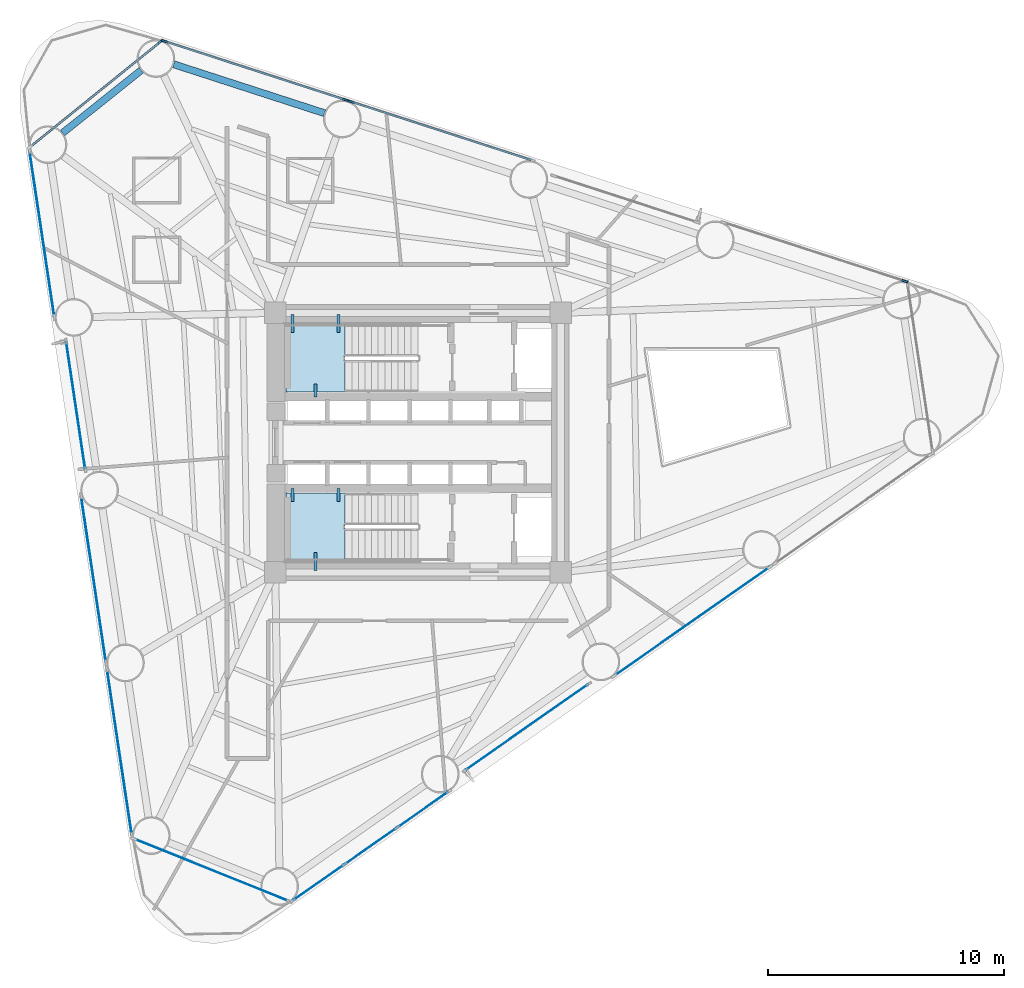
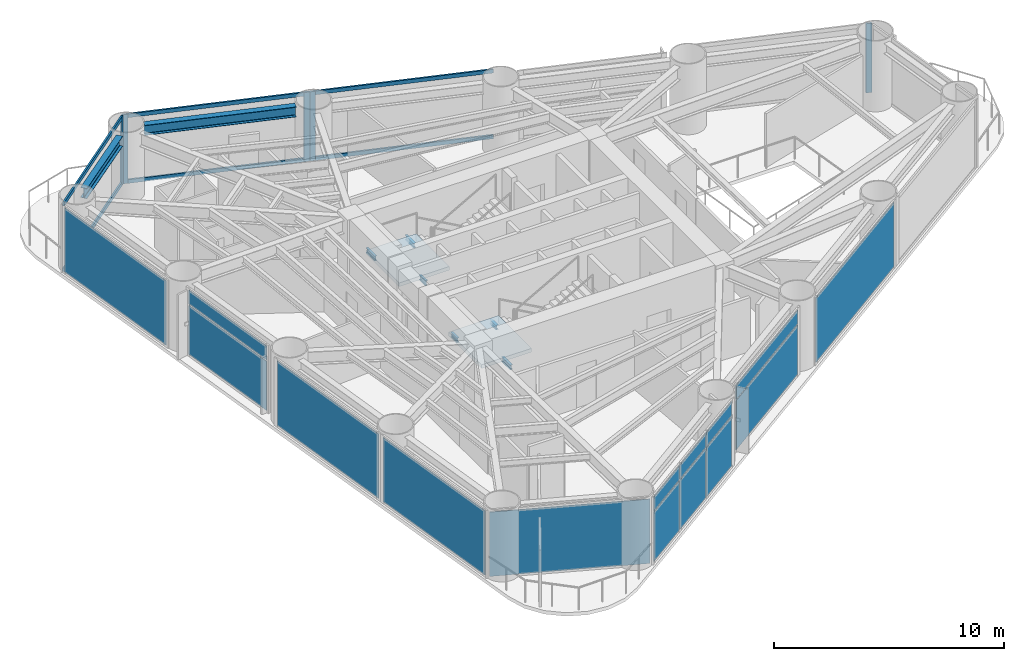
# One storey, part 4 of 9: 15 plates, 11 members, 8 beams, 2 slabs, 14 elements without a shape of their own.
"""IFC4 building model written with IfcOpenShell, lengths in metres."""

from ifc_helpers import new_model, si_unit, direction, frame, origin, origin_2d, place, context, subcontext, project, spatial, polyline, rectangle, i_section, outline, extrude, source, transform, mapped, material, layer, layer_set, material_profile, profile_set, type_object, element, aggregate, save


model = new_model("IFC4")

# Units and contexts
model_context = context("Model", 3, precision=1e-05, world=origin(), true_north=direction((0.0, 1.0)))
body_context = subcontext(model_context, "Body", "Model", "MODEL_VIEW")
ifc_project = project(units=[si_unit("LENGTHUNIT", "METRE"), si_unit("AREAUNIT", "SQUARE_METRE"), si_unit("VOLUMEUNIT", "CUBIC_METRE"), si_unit("PLANEANGLEUNIT", "RADIAN"), si_unit("MASSUNIT", "GRAM", prefix="KILO")], contexts=[model_context])

# Site, building, storey
site_placement = place(None, origin())
site = spatial("IfcSite", under=ifc_project, at=site_placement, CompositionType="ELEMENT")
building_placement = place(site_placement, origin())
building = spatial("IfcBuilding", under=site, at=building_placement, Name="Yunling Apex Tower", CompositionType="ELEMENT")
storey_placement = place(building_placement, frame((0.0, 0.0, 73.550048828125)))
storey = spatial("IfcBuildingStorey", under=building, at=storey_placement, Name="L19", CompositionType="ELEMENT", Elevation=73.550048828125)

# Beams
ifc_material_1 = material(Name="Steel Q355B", Category="steel")
ifc_material_profile_1 = material_profile(ifc_material_1, i_section(OverallWidth=0.125, OverallDepth=0.25, WebThickness=0.006103515625, FlangeThickness=0.009033203125, FilletRadius=0.011962890625, at=origin_2d()))
ifc_profile_set_1 = profile_set([ifc_material_profile_1], Name="Steel Q355B")
beam_type_1 = type_object("IfcBeamType", Name="BL-LNT-1", PredefinedType="LINTEL", material=ifc_profile_set_1)
shared_shape_1 = source(origin(), body_context, "Body", "SweptSolid", [
    extrude(i_section(OverallWidth=0.125, OverallDepth=0.25, WebThickness=0.006103515625, FlangeThickness=0.009033203125, FilletRadius=0.011962890625, at=origin_2d()), origin(), (0.0, 0.0, 1.0), 0.760009765625),
])
for number, where, z_axis, x_axis, name in (
    (1, (-5.320068359375, 5.419921875, 1.554931640625), (0.0, -1.0, 0.0), (1.0, 0.0, 0.0), "L19 ST-1 Landing Bearing Corbel 1-1"),
    (2, (-3.3701171875, 5.419921875, 1.554931640625), (0.0, -1.0, 0.0), (1.0, 0.0, 0.0), "L19 ST-1 Landing Bearing Corbel 1-2"),
    (3, (-4.344970703125, -5.419921875, 1.554931640625), (0.0, 1.0, 0.0), (-1.0, 0.0, 0.0), "L19 ST-2 Landing Bearing Corbel 1-3"),
):
    element("IfcBeam", number, at=place(storey_placement, frame(where, z_axis=z_axis, x_axis=x_axis)), inside=storey, type_object=beam_type_1, Name=name, PredefinedType="LINTEL", context=body_context, shape_type="MappedRepresentation", body=[
        mapped(shared_shape_1, transform((0.0, 0.0, 0.0), scale=1.0)),
    ])
shared_shape_2 = source(origin(), body_context, "Body", "SweptSolid", [
    extrude(i_section(OverallWidth=0.125, OverallDepth=0.25, WebThickness=0.006103515625, FlangeThickness=0.009033203125, FilletRadius=0.011962890625, at=origin_2d()), origin(), (0.0, 0.0, 1.0), 0.550048828125),
])
for number, where, z_axis, x_axis, name in (
    (4, (-4.344970703125, 1.93994140625, 1.554931640625), (0.0, 1.0, 0.0), (-1.0, 0.0, 0.0), "L19 ST-1 Landing Bearing Corbel 1-3"),
    (5, (-5.320068359375, -1.93994140625, 1.554931640625), (0.0, -1.0, 0.0), (1.0, 0.0, 0.0), "L19 ST-2 Landing Bearing Corbel 1-1"),
    (6, (-3.3701171875, -1.93994140625, 1.554931640625), (0.0, -1.0, 0.0), (1.0, 0.0, 0.0), "L19 ST-2 Landing Bearing Corbel 1-2"),
):
    element("IfcBeam", number, at=place(storey_placement, frame(where, z_axis=z_axis, x_axis=x_axis)), inside=storey, type_object=beam_type_1, Name=name, PredefinedType="LINTEL", context=body_context, shape_type="MappedRepresentation", body=[
        mapped(shared_shape_2, transform((0.0, 0.0, 0.0), scale=1.0)),
    ])
ifc_material_profile_2 = material_profile(ifc_material_1, i_section(OverallWidth=0.300048828125, OverallDepth=0.5400390625, WebThickness=0.011962890625, FlangeThickness=0.02001953125, FilletRadius=0.02392578125, at=origin_2d()))
ifc_profile_set_2 = profile_set([ifc_material_profile_2], Name="Steel Q355B")
beam_type_2 = type_object("IfcBeamType", Name="BP-SPN-1", PredefinedType="SPANDREL", material=ifc_profile_set_2)
shared_shape_3 = source(origin(), body_context, "Body", "SweptSolid", [
    extrude(i_section(OverallWidth=0.300048828125, OverallDepth=0.5400390625, WebThickness=0.011962890625, FlangeThickness=0.02001953125, FilletRadius=0.02392578125, at=origin_2d()), origin(), (0.0, 0.0, 1.0), 6.721435546875),
])
beam_1_placement = place(storey_placement, frame((-3.96484375, 13.9638671875, 3.294921875), z_axis=(-0.95126256707, 0.308382114415, 0.0), x_axis=(-0.308382114415, -0.95126256707, 0.0)))
element("IfcBeam", 7, at=beam_1_placement, inside=storey, type_object=beam_type_2, Name="L19 Perimeter Spandrel Beam 9", PredefinedType="SPANDREL", context=body_context, shape_type="MappedRepresentation", body=[
    mapped(shared_shape_3, transform((0.0, 0.0, 0.0), scale=1.0)),
])
shared_shape_4 = source(origin(), body_context, "Body", "SweptSolid", [
    extrude(i_section(OverallWidth=0.300048828125, OverallDepth=0.5400390625, WebThickness=0.011962890625, FlangeThickness=0.02001953125, FilletRadius=0.02392578125, at=origin_2d()), origin(), (0.0, 0.0, 1.0), 4.265869140625),
])
beam_2_placement = place(storey_placement, frame((-11.734619140625, 15.785888671875, 3.294921875), z_axis=(-0.781560697893, -0.623829203796, 0.0), x_axis=(0.623829203796, -0.781560697893, 0.0)))
element("IfcBeam", 8, at=beam_2_placement, inside=storey, type_object=beam_type_2, Name="L19 Perimeter Spandrel Beam 10", PredefinedType="SPANDREL", context=body_context, shape_type="MappedRepresentation", body=[
    mapped(shared_shape_4, transform((0.0, 0.0, 0.0), scale=1.0)),
])

# Curtain wall, member
ifc_material_2 = material(Name="Bronze anodised aluminium", Category="aluminium")
ifc_layer_1 = layer(ifc_material_2, 0.260009765625)
ifc_layer_set_1 = layer_set([ifc_layer_1], Name="Bronze anodised aluminium")
curtain_wall_type = type_object("IfcCurtainWallType", Name="CW-SYS-2", PredefinedType="NOTDEFINED", material=ifc_layer_set_1)
curtain_wall_1_placement = place(storey_placement, origin())
curtain_wall_1 = element("IfcCurtainWall", 9, at=curtain_wall_1_placement, inside=storey, type_object=curtain_wall_type, Name="CW-L19-F2-B1", PredefinedType="NOTDEFINED")
ifc_material_profile_3 = material_profile(ifc_material_2, rectangle(XDim=0.0849609375, YDim=0.260009765625, at=origin_2d()))
ifc_profile_set_3 = profile_set([ifc_material_profile_3], Name="Bronze anodised aluminium")
member_type_1 = type_object("IfcMemberType", Name="CW-MUL-2", PredefinedType="MULLION", material=ifc_profile_set_3)
shared_shape_5 = source(origin(), body_context, "Body", "SweptSolid", [
    extrude(rectangle(XDim=0.0849609375, YDim=0.260009765625, at=origin_2d()), origin(), (0.0, 0.0, 1.0), 3.6650390625),
])
member_1_placement = place(storey_placement, frame((20.63671875, 6.8408203125, -0.050048828125), z_axis=(0.0, 0.0, 1.0), x_axis=(-0.30835735341, -0.951270593784, 0.0)))
member_1 = element("IfcMember", 10, at=member_1_placement, type_object=member_type_1, Name="CW-SYS-2 mullion 1", PredefinedType="MULLION", context=body_context, shape_type="MappedRepresentation", body=[
    mapped(shared_shape_5, transform((0.0, 0.0, 0.0), scale=1.0)),
])
aggregate(curtain_wall_1, [member_1])

curtain_wall_2_placement = place(storey_placement, origin())
curtain_wall_2 = element("IfcCurtainWall", 11, at=curtain_wall_2_placement, inside=storey, type_object=curtain_wall_type, Name="CW-L19-F2-B3", PredefinedType="NOTDEFINED")
member_2_placement = place(storey_placement, frame((-2.84326171875, 14.451904296875, -0.050048828125), z_axis=(0.0, 0.0, 1.0), x_axis=(-0.308368457544, -0.951266994272, 0.0)))
member_2 = element("IfcMember", 12, at=member_2_placement, type_object=member_type_1, Name="CW-SYS-2 mullion 2", PredefinedType="MULLION", context=body_context, shape_type="MappedRepresentation", body=[
    mapped(shared_shape_5, transform((0.0, 0.0, 0.0), scale=1.0)),
])

# Curtain wall, members
curtain_wall_3_placement = place(storey_placement, origin())
curtain_wall_3 = element("IfcCurtainWall", 13, at=curtain_wall_3_placement, inside=storey, type_object=curtain_wall_type, Name="CW-L19-F2-B4", PredefinedType="NOTDEFINED")
member_3_placement = place(storey_placement, frame((-3.076416015625, 14.52734375, -0.050048828125), z_axis=(0.0, 0.0, 1.0), x_axis=(-0.30835735341, -0.951270593784, 0.0)))
member_3 = element("IfcMember", 14, at=member_3_placement, type_object=member_type_1, Name="CW-SYS-2 mullion 1", PredefinedType="MULLION", context=body_context, shape_type="MappedRepresentation", body=[
    mapped(shared_shape_5, transform((0.0, 0.0, 0.0), scale=1.0)),
])
member_4_placement = place(storey_placement, frame((-10.747802734375, 17.01416015625, -0.050048828125), z_axis=(0.0, 0.0, 1.0), x_axis=(-0.30835735341, -0.951270593784, 0.0)))
member_4 = element("IfcMember", 15, at=member_4_placement, type_object=member_type_1, Name="CW-SYS-2 mullion 2", PredefinedType="MULLION", context=body_context, shape_type="MappedRepresentation", body=[
    mapped(shared_shape_5, transform((0.0, 0.0, 0.0), scale=1.0)),
])

# Curtain wall, member
curtain_wall_4_placement = place(storey_placement, origin())
curtain_wall_4 = element("IfcCurtainWall", 16, at=curtain_wall_4_placement, inside=storey, type_object=curtain_wall_type, Name="CW-L19-CRN2", PredefinedType="NOTDEFINED")
member_5_placement = place(storey_placement, frame((-10.903564453125, 17.006103515625, -0.050048828125), z_axis=(0.0, 0.0, 1.0), x_axis=(0.628079941911, -0.778148820322, 0.0)))
member_5 = element("IfcMember", 17, at=member_5_placement, type_object=member_type_1, Name="CW-SYS-2 mullion 1", PredefinedType="MULLION", context=body_context, shape_type="MappedRepresentation", body=[
    mapped(shared_shape_5, transform((0.0, 0.0, 0.0), scale=1.0)),
])

# Member
ifc_material_profile_4 = material_profile(ifc_material_2, rectangle(XDim=0.0849609375, YDim=0.199951171875, at=origin_2d()))
ifc_profile_set_4 = profile_set([ifc_material_profile_4], Name="Bronze anodised aluminium")
member_type_2 = type_object("IfcMemberType", Name="CW-TRN-2", PredefinedType="USERDEFINED", material=ifc_profile_set_4)
shared_shape_6 = source(origin(), body_context, "Body", "SweptSolid", [
    extrude(rectangle(XDim=0.0849609375, YDim=0.199951171875, at=origin_2d()), origin(), (0.0, 0.0, 1.0), 7.98779296875),
])
member_6_placement = place(storey_placement, frame((4.79150390625, 11.976806640625, 0.04248046875), z_axis=(-0.951258205262, 0.308395568907, 0.0), x_axis=(-0.308395568907, -0.951258205262, 0.0)))
member_6 = element("IfcMember", 18, at=member_6_placement, type_object=member_type_2, Name="CW-SYS-2 transom 1.1", ObjectType="TRANSOM", PredefinedType="USERDEFINED", context=body_context, shape_type="MappedRepresentation", body=[
    mapped(shared_shape_6, transform((0.0, 0.0, 0.0), scale=1.0)),
])

member_7_placement = place(storey_placement, frame((4.79150390625, 11.976806640625, 3.5224609375), z_axis=(-0.951258205262, 0.308395568907, 0.0), x_axis=(-0.308395568907, -0.951258205262, 0.0)))
member_7 = element("IfcMember", 19, at=member_7_placement, type_object=member_type_2, Name="CW-SYS-2 transom 1.2", ObjectType="TRANSOM", PredefinedType="USERDEFINED", context=body_context, shape_type="MappedRepresentation", body=[
    mapped(shared_shape_6, transform((0.0, 0.0, 0.0), scale=1.0)),
])

aggregate(curtain_wall_2, [member_2, member_6, member_7])

member_8_placement = place(storey_placement, frame((-3.11279296875, 14.539306640625, 0.04248046875), z_axis=(-0.951279042821, 0.308331287237, 0.0), x_axis=(-0.308331287237, -0.951279042821, 0.0)))
member_8 = element("IfcMember", 20, at=member_8_placement, type_object=member_type_2, Name="CW-SYS-2 transom 1.1", ObjectType="TRANSOM", PredefinedType="USERDEFINED", context=body_context, shape_type="MappedRepresentation", body=[
    mapped(shared_shape_6, transform((0.0, 0.0, 0.0), scale=1.0)),
])

member_9_placement = place(storey_placement, frame((-3.11279296875, 14.539306640625, 3.5224609375), z_axis=(-0.951279042821, 0.308331287237, 0.0), x_axis=(-0.308331287237, -0.951279042821, 0.0)))
member_9 = element("IfcMember", 21, at=member_9_placement, type_object=member_type_2, Name="CW-SYS-2 transom 1.2", ObjectType="TRANSOM", PredefinedType="USERDEFINED", context=body_context, shape_type="MappedRepresentation", body=[
    mapped(shared_shape_6, transform((0.0, 0.0, 0.0), scale=1.0)),
])

aggregate(curtain_wall_3, [member_3, member_4, member_8, member_9])

shared_shape_7 = source(origin(), body_context, "Body", "SweptSolid", [
    extrude(rectangle(XDim=0.0849609375, YDim=0.199951171875, at=origin_2d()), origin(), (0.0, 0.0, 1.0), 7.03515625),
])
member_10_placement = place(storey_placement, frame((-10.933349609375, 16.982177734375, 0.04248046875), z_axis=(-0.778142739989, -0.628087474961, 0.0), x_axis=(0.628087474961, -0.778142739989, 0.0)))
member_10 = element("IfcMember", 22, at=member_10_placement, type_object=member_type_2, Name="CW-SYS-2 transom 1.1", ObjectType="TRANSOM", PredefinedType="USERDEFINED", context=body_context, shape_type="MappedRepresentation", body=[
    mapped(shared_shape_7, transform((0.0, 0.0, 0.0), scale=1.0)),
])

member_11_placement = place(storey_placement, frame((-10.933349609375, 16.982177734375, 3.5224609375), z_axis=(-0.778142739989, -0.628087474961, 0.0), x_axis=(0.628087474961, -0.778142739989, 0.0)))
member_11 = element("IfcMember", 23, at=member_11_placement, type_object=member_type_2, Name="CW-SYS-2 transom 1.2", ObjectType="TRANSOM", PredefinedType="USERDEFINED", context=body_context, shape_type="MappedRepresentation", body=[
    mapped(shared_shape_7, transform((0.0, 0.0, 0.0), scale=1.0)),
])

aggregate(curtain_wall_4, [member_5, member_10, member_11])

# Stair, slab
ifc_material_3 = material(Name="Concrete C40", Category="concrete")
stair_type = type_object("IfcStairType", Name="ST-TWR-1", PredefinedType="HALF_TURN_STAIR", material=ifc_material_3)
stair_1_placement = place(storey_placement, origin())
stair_1 = element("IfcStair", 24, at=stair_1_placement, inside=storey, type_object=stair_type, Name="L19 North Core Smokeproof Exit Stair ST-1", PredefinedType="HALF_TURN_STAIR")
ifc_layer_2 = layer(ifc_material_3, 0.195068359375)
ifc_layer_set_2 = layer_set([ifc_layer_2], Name="Concrete C40")
slab_type = type_object("IfcSlabType", Name="SL-LND-1", PredefinedType="LANDING", material=ifc_layer_set_2)
slab_1_placement = place(storey_placement, frame((0.0, 0.0, 1.679931640625)))
slab_1 = element("IfcSlab", 25, at=slab_1_placement, type_object=slab_type, Name="ST-1 landing 1", PredefinedType="LANDING", context=body_context, shape_type="SweptSolid", body=[
    extrude(outline(polyline([(-3.090087890625, 5.010009765625), (-5.60009765625, 5.010009765625), (-5.60009765625, 2.139892578125), (-3.090087890625, 2.139892578125), (-3.090087890625, 5.010009765625)])), origin(), (0.0, 0.0, 1.0), 0.195068359375),
])
aggregate(stair_1, [slab_1])

stair_2_placement = place(storey_placement, origin())
stair_2 = element("IfcStair", 26, at=stair_2_placement, inside=storey, type_object=stair_type, Name="L19 South Core Smokeproof Exit Stair ST-2", PredefinedType="HALF_TURN_STAIR")
slab_2_placement = place(storey_placement, frame((0.0, 0.0, 1.679931640625)))
slab_2 = element("IfcSlab", 27, at=slab_2_placement, type_object=slab_type, Name="ST-2 landing 1", PredefinedType="LANDING", context=body_context, shape_type="SweptSolid", body=[
    extrude(outline(polyline([(-3.090087890625, -2.139892578125), (-5.60009765625, -2.139892578125), (-5.60009765625, -5.010009765625), (-3.090087890625, -5.010009765625), (-3.090087890625, -2.139892578125)])), origin(), (0.0, 0.0, 1.0), 0.195068359375),
])
aggregate(stair_2, [slab_2])

# Curtain wall, plates
curtain_wall_5_placement = place(storey_placement, origin())
curtain_wall_5 = element("IfcCurtainWall", 28, at=curtain_wall_5_placement, inside=storey, type_object=curtain_wall_type, Name="CW-L19-F1-B1", PredefinedType="NOTDEFINED")
ifc_material_4 = material(Name="Bronze tinted low-E glass", Category="glass")
ifc_layer_3 = layer(ifc_material_4, 0.033935546875)
ifc_layer_set_3 = layer_set([ifc_layer_3], Name="Bronze tinted low-E glass")
plate_type = type_object("IfcPlateType", Name="CW-PNL-2", PredefinedType="CURTAIN_PANEL", material=ifc_layer_set_3)
shared_shape_8 = source(origin(), body_context, "Body", "SweptSolid", [
    extrude(rectangle(XDim=2.60546875, YDim=0.033935546875, at=origin_2d()), origin(), (0.0, 0.0, 1.0), 2.60400390625),
])
plate_1_placement = place(storey_placement, frame((-4.2080078125, -18.64697265625, 0.07666015625), z_axis=(0.0, 0.0, 1.0), x_axis=(0.819552319691, 0.573004358875, 0.0)))
plate_1 = element("IfcPlate", 29, at=plate_1_placement, type_object=plate_type, Name="CW-SYS-2 panel 1.1", PredefinedType="CURTAIN_PANEL", context=body_context, shape_type="MappedRepresentation", body=[
    mapped(shared_shape_8, transform((0.0, 0.0, 0.0), scale=1.0)),
])
plate_2_placement = place(storey_placement, frame((0.209716796875, -15.55810546875, 0.07666015625), z_axis=(0.0, 0.0, 1.0), x_axis=(0.819552319691, 0.573004358875, 0.0)))
plate_2 = element("IfcPlate", 30, at=plate_2_placement, type_object=plate_type, Name="CW-SYS-2 panel 3.1", PredefinedType="CURTAIN_PANEL", context=body_context, shape_type="MappedRepresentation", body=[
    mapped(shared_shape_8, transform((0.0, 0.0, 0.0), scale=1.0)),
])
shared_shape_9 = source(origin(), body_context, "Body", "SweptSolid", [
    extrude(rectangle(XDim=2.60546875, YDim=0.033935546875, at=origin_2d()), origin(), (0.0, 0.0, 1.0), 0.739013671875),
])
plate_3_placement = place(storey_placement, frame((-4.2080078125, -18.64697265625, 2.7490234375), z_axis=(0.0, 0.0, 1.0), x_axis=(0.819552319691, 0.573004358875, 0.0)))
plate_3 = element("IfcPlate", 31, at=plate_3_placement, type_object=plate_type, Name="CW-SYS-2 panel 1.2", PredefinedType="CURTAIN_PANEL", context=body_context, shape_type="MappedRepresentation", body=[
    mapped(shared_shape_9, transform((0.0, 0.0, 0.0), scale=1.0)),
])
plate_4_placement = place(storey_placement, frame((0.209716796875, -15.55810546875, 2.7490234375), z_axis=(0.0, 0.0, 1.0), x_axis=(0.819552319691, 0.573004358875, 0.0)))
plate_4 = element("IfcPlate", 32, at=plate_4_placement, type_object=plate_type, Name="CW-SYS-2 panel 3.2", PredefinedType="CURTAIN_PANEL", context=body_context, shape_type="MappedRepresentation", body=[
    mapped(shared_shape_9, transform((0.0, 0.0, 0.0), scale=1.0)),
])
shared_shape_10 = source(origin(), body_context, "Body", "SweptSolid", [
    extrude(rectangle(XDim=2.64794921875, YDim=0.033935546875, at=origin_2d()), origin(), (0.0, 0.0, 1.0), 2.60400390625),
])
plate_5_placement = place(storey_placement, frame((-1.9990234375, -17.1025390625, 0.07666015625), z_axis=(0.0, 0.0, 1.0), x_axis=(0.819552319691, 0.573004358875, 0.0)))
plate_5 = element("IfcPlate", 33, at=plate_5_placement, type_object=plate_type, Name="CW-SYS-2 panel 2.1", PredefinedType="CURTAIN_PANEL", context=body_context, shape_type="MappedRepresentation", body=[
    mapped(shared_shape_10, transform((0.0, 0.0, 0.0), scale=1.0)),
])
shared_shape_11 = source(origin(), body_context, "Body", "SweptSolid", [
    extrude(rectangle(XDim=2.64794921875, YDim=0.033935546875, at=origin_2d()), origin(), (0.0, 0.0, 1.0), 0.739013671875),
])
plate_6_placement = place(storey_placement, frame((-1.9990234375, -17.1025390625, 2.7490234375), z_axis=(0.0, 0.0, 1.0), x_axis=(0.819552319691, 0.573004358875, 0.0)))
plate_6 = element("IfcPlate", 34, at=plate_6_placement, type_object=plate_type, Name="CW-SYS-2 panel 2.2", PredefinedType="CURTAIN_PANEL", context=body_context, shape_type="MappedRepresentation", body=[
    mapped(shared_shape_11, transform((0.0, 0.0, 0.0), scale=1.0)),
])
aggregate(curtain_wall_5, [plate_1, plate_3, plate_5, plate_6, plate_2, plate_4])

curtain_wall_6_placement = place(storey_placement, origin())
curtain_wall_6 = element("IfcCurtainWall", 35, at=curtain_wall_6_placement, inside=storey, type_object=curtain_wall_type, Name="CW-L19-F1-B2", PredefinedType="NOTDEFINED")
shared_shape_12 = source(origin(), body_context, "Body", "SweptSolid", [
    extrude(rectangle(XDim=6.315673828125, YDim=0.033935546875, at=origin_2d()), origin(), (0.0, 0.0, 1.0), 2.60400390625),
])
plate_7_placement = place(storey_placement, frame((4.615966796875, -12.0625, 0.07666015625), z_axis=(0.0, 0.0, 1.0), x_axis=(0.819553499175, 0.573002671888, 0.0)))
plate_7 = element("IfcPlate", 36, at=plate_7_placement, type_object=plate_type, Name="CW-SYS-2 panel 1.1", PredefinedType="CURTAIN_PANEL", context=body_context, shape_type="MappedRepresentation", body=[
    mapped(shared_shape_12, transform((0.0, 0.0, 0.0), scale=1.0)),
])
shared_shape_13 = source(origin(), body_context, "Body", "SweptSolid", [
    extrude(rectangle(XDim=6.315673828125, YDim=0.033935546875, at=origin_2d()), origin(), (0.0, 0.0, 1.0), 0.739013671875),
])
plate_8_placement = place(storey_placement, frame((4.615966796875, -12.0625, 2.7490234375), z_axis=(0.0, 0.0, 1.0), x_axis=(0.819553499175, 0.573002671888, 0.0)))
plate_8 = element("IfcPlate", 37, at=plate_8_placement, type_object=plate_type, Name="CW-SYS-2 panel 1.2", PredefinedType="CURTAIN_PANEL", context=body_context, shape_type="MappedRepresentation", body=[
    mapped(shared_shape_13, transform((0.0, 0.0, 0.0), scale=1.0)),
])
aggregate(curtain_wall_6, [plate_7, plate_8])

# Curtain wall, plate
curtain_wall_7_placement = place(storey_placement, origin())
curtain_wall_7 = element("IfcCurtainWall", 38, at=curtain_wall_7_placement, inside=storey, type_object=curtain_wall_type, Name="CW-L19-F1-B3", PredefinedType="NOTDEFINED")
shared_shape_14 = source(origin(), body_context, "Body", "SweptSolid", [
    extrude(rectangle(XDim=7.995849609375, YDim=0.033935546875, at=origin_2d()), origin(), (0.0, 0.0, 1.0), 3.41162109375),
])
plate_9_placement = place(storey_placement, frame((11.62060546875, -7.579833984375, 0.07666015625), z_axis=(0.0, 0.0, 1.0), x_axis=(0.819558082217, 0.572996116804, 0.0)))
plate_9 = element("IfcPlate", 39, at=plate_9_placement, type_object=plate_type, Name="CW-SYS-2 panel 1.1", PredefinedType="CURTAIN_PANEL", context=body_context, shape_type="MappedRepresentation", body=[
    mapped(shared_shape_14, transform((0.0, 0.0, 0.0), scale=1.0)),
])
aggregate(curtain_wall_7, [plate_9])

curtain_wall_8_placement = place(storey_placement, origin())
curtain_wall_8 = element("IfcCurtainWall", 40, at=curtain_wall_8_placement, inside=storey, type_object=curtain_wall_type, Name="CW-L19-CRN3", PredefinedType="NOTDEFINED")
shared_shape_15 = source(origin(), body_context, "Body", "SweptSolid", [
    extrude(rectangle(XDim=7.043212890625, YDim=0.033935546875, at=origin_2d()), origin(), (0.0, 0.0, 1.0), 3.41162109375),
])
plate_10_placement = place(storey_placement, frame((-8.75390625, -18.1240234375, 0.07666015625), z_axis=(0.0, 0.0, 1.0), x_axis=(0.927773562961, -0.373143693329, 0.0)))
plate_10 = element("IfcPlate", 41, at=plate_10_placement, type_object=plate_type, Name="CW-SYS-2 panel 1.1", PredefinedType="CURTAIN_PANEL", context=body_context, shape_type="MappedRepresentation", body=[
    mapped(shared_shape_15, transform((0.0, 0.0, 0.0), scale=1.0)),
])
aggregate(curtain_wall_8, [plate_10])

curtain_wall_9_placement = place(storey_placement, origin())
curtain_wall_9 = element("IfcCurtainWall", 42, at=curtain_wall_9_placement, inside=storey, type_object=curtain_wall_type, Name="CW-L19-F3-B1", PredefinedType="NOTDEFINED")
shared_shape_16 = source(origin(), body_context, "Body", "SweptSolid", [
    extrude(rectangle(XDim=7.091552734375, YDim=0.033935546875, at=origin_2d()), origin(), (0.0, 0.0, 1.0), 3.41162109375),
])
plate_11_placement = place(storey_placement, frame((-15.943115234375, 8.847900390625, 0.07666015625), z_axis=(0.0, 0.0, 1.0), x_axis=(0.147799122579, -0.989017400941, 0.0)))
plate_11 = element("IfcPlate", 43, at=plate_11_placement, type_object=plate_type, Name="CW-SYS-2 panel 1.1", PredefinedType="CURTAIN_PANEL", context=body_context, shape_type="MappedRepresentation", body=[
    mapped(shared_shape_16, transform((0.0, 0.0, 0.0), scale=1.0)),
])
aggregate(curtain_wall_9, [plate_11])

# Curtain wall, plates
curtain_wall_10_placement = place(storey_placement, origin())
curtain_wall_10 = element("IfcCurtainWall", 44, at=curtain_wall_10_placement, inside=storey, type_object=curtain_wall_type, Name="CW-L19-F3-B2", PredefinedType="NOTDEFINED")
shared_shape_17 = source(origin(), body_context, "Body", "SweptSolid", [
    extrude(rectangle(XDim=5.411376953125, YDim=0.033935546875, at=origin_2d()), origin(), (0.0, 0.0, 1.0), 2.60400390625),
])
plate_12_placement = place(storey_placement, frame((-14.51220703125, 1.57470703125, 0.07666015625), z_axis=(0.0, 0.0, 1.0), x_axis=(0.147800900076, -0.98901713531, 0.0)))
plate_12 = element("IfcPlate", 45, at=plate_12_placement, type_object=plate_type, Name="CW-SYS-2 panel 1.1", PredefinedType="CURTAIN_PANEL", context=body_context, shape_type="MappedRepresentation", body=[
    mapped(shared_shape_17, transform((0.0, 0.0, 0.0), scale=1.0)),
])
shared_shape_18 = source(origin(), body_context, "Body", "SweptSolid", [
    extrude(rectangle(XDim=5.411376953125, YDim=0.033935546875, at=origin_2d()), origin(), (0.0, 0.0, 1.0), 0.739013671875),
])
plate_13_placement = place(storey_placement, frame((-14.51220703125, 1.57470703125, 2.7490234375), z_axis=(0.0, 0.0, 1.0), x_axis=(0.147800900076, -0.98901713531, 0.0)))
plate_13 = element("IfcPlate", 46, at=plate_13_placement, type_object=plate_type, Name="CW-SYS-2 panel 1.2", PredefinedType="CURTAIN_PANEL", context=body_context, shape_type="MappedRepresentation", body=[
    mapped(shared_shape_18, transform((0.0, 0.0, 0.0), scale=1.0)),
])
aggregate(curtain_wall_10, [plate_12, plate_13])

# Curtain wall, plate
curtain_wall_11_placement = place(storey_placement, origin())
curtain_wall_11 = element("IfcCurtainWall", 47, at=curtain_wall_11_placement, inside=storey, type_object=curtain_wall_type, Name="CW-L19-F3-B3", PredefinedType="NOTDEFINED")
shared_shape_19 = source(origin(), body_context, "Body", "SweptSolid", [
    extrude(rectangle(XDim=7.09130859375, YDim=0.033935546875, at=origin_2d()), origin(), (0.0, 0.0, 1.0), 3.41162109375),
])
plate_14_placement = place(storey_placement, frame((-13.75390625, -5.799072265625, 0.07666015625), z_axis=(0.0, 0.0, 1.0), x_axis=(0.147814641525, -0.98901508166, 0.0)))
plate_14 = element("IfcPlate", 48, at=plate_14_placement, type_object=plate_type, Name="CW-SYS-2 panel 1.1", PredefinedType="CURTAIN_PANEL", context=body_context, shape_type="MappedRepresentation", body=[
    mapped(shared_shape_19, transform((0.0, 0.0, 0.0), scale=1.0)),
])
aggregate(curtain_wall_11, [plate_14])

curtain_wall_12_placement = place(storey_placement, origin())
curtain_wall_12 = element("IfcCurtainWall", 49, at=curtain_wall_12_placement, inside=storey, type_object=curtain_wall_type, Name="CW-L19-F3-B4", PredefinedType="NOTDEFINED")
plate_15_placement = place(storey_placement, frame((-12.659423828125, -13.12255859375, 0.07666015625), z_axis=(0.0, 0.0, 1.0), x_axis=(0.14780114022, -0.989017099422, 0.0)))
plate_15 = element("IfcPlate", 50, at=plate_15_placement, type_object=plate_type, Name="CW-SYS-2 panel 1.1", PredefinedType="CURTAIN_PANEL", context=body_context, shape_type="MappedRepresentation", body=[
    mapped(shared_shape_19, transform((0.0, 0.0, 0.0), scale=1.0)),
])
aggregate(curtain_wall_12, [plate_15])

save(model, "model.ifc")
